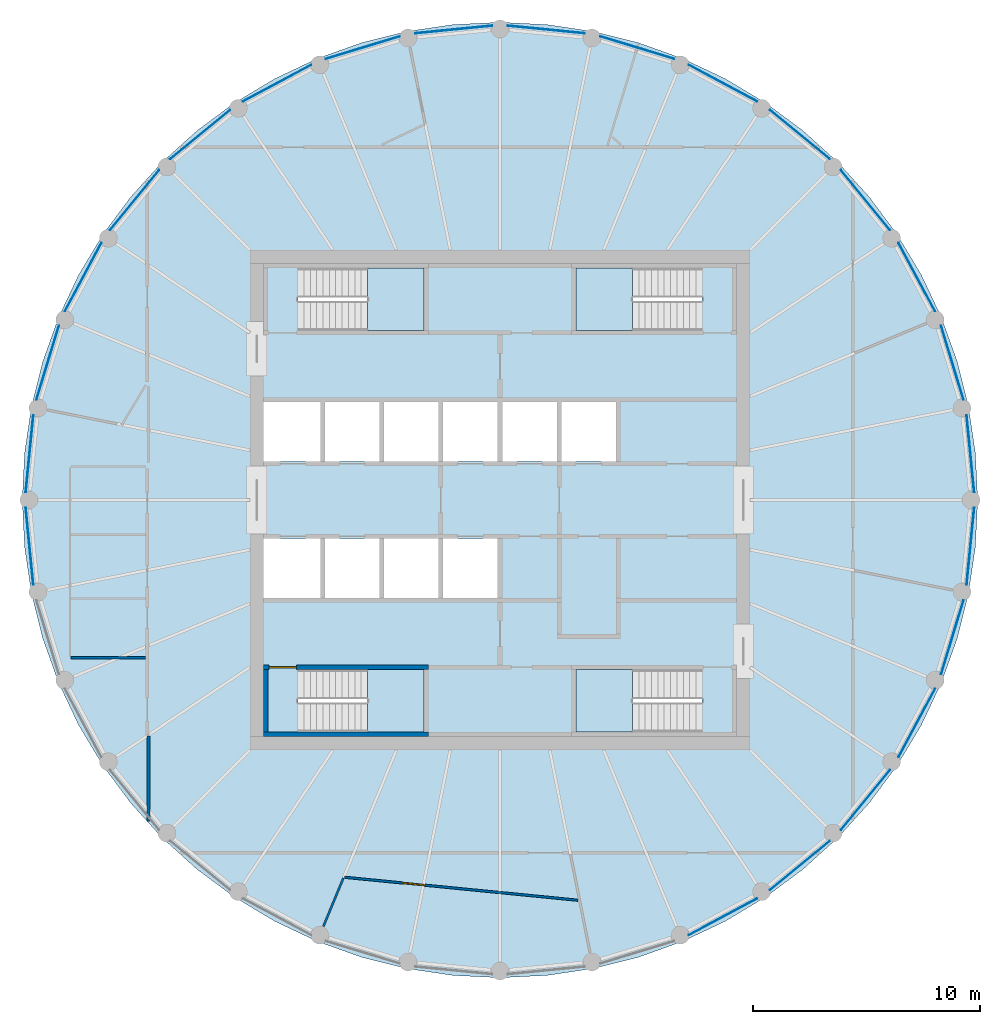
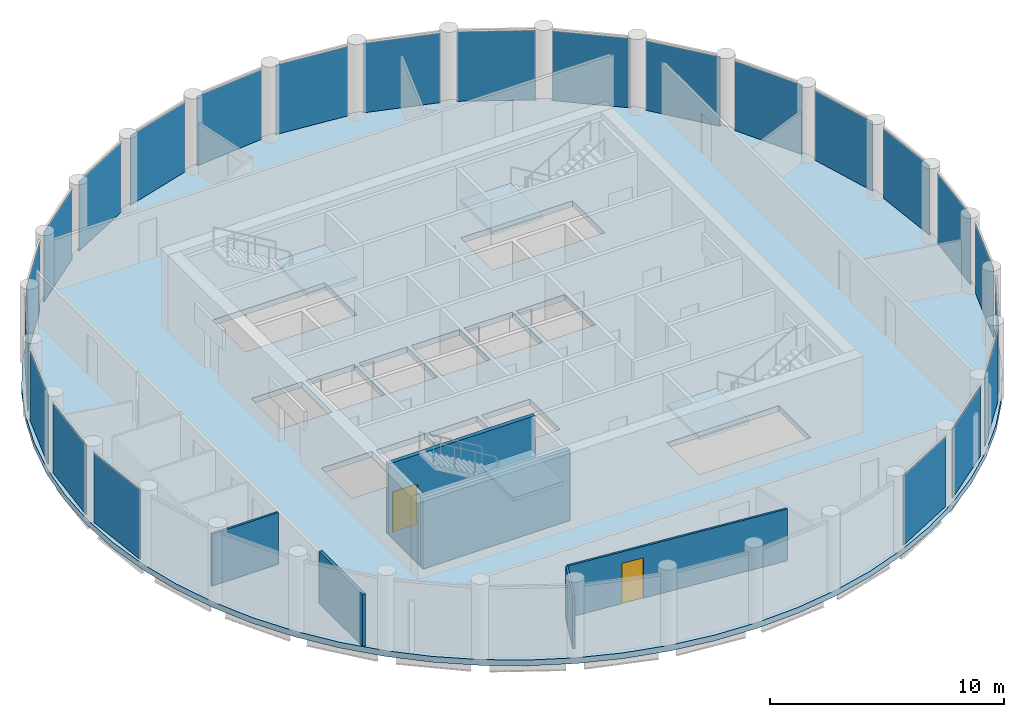
# One storey, part 3 of 7: 23 plates, 7 walls, 5 slabs, 2 doors, 2 openings, 27 elements without a shape of their own.
"""IFC4 building model written with IfcOpenShell, lengths in metres."""

import ifcopenshell
import ifcopenshell.guid

model = None  # the IFC model being written
_history = None  # IfcOwnerHistory: only IFC2X3 demands one
_inside = {}  # id of a spatial element -> (the spatial element, [elements in it])
_under = {}  # id of a project, library or spatial element -> (it, [spatial elements below it])
_declared = {}  # id of a project -> (the project, [libraries it declares])
_typed = {}  # id of a type object -> (the type object, [elements of that type])
_made_of = {}  # id of a material, layer set ... -> (it, [elements and type objects made of it])


def new_model(schema):
    """Start an empty IFC model of exactly this schema.

    Asked for "IFC4X3", IfcOpenShell would pick the latest addendum, in which some entities
    have other attributes; the version numbers below select the first issue.
    IFC2X3 requires an IfcOwnerHistory on every rooted entity: one is made here for all.
    """
    global model, _history
    if schema == "IFC4X3":
        model = ifcopenshell.file(schema_version=(4, 3, 0, 0))
    else:
        model = ifcopenshell.file(schema=schema)
    _inside.clear()
    _under.clear()
    _declared.clear()
    _typed.clear()
    _made_of.clear()
    _history = None
    if model.schema == "IFC2X3":
        org = make("IfcOrganization", Name="unknown")
        user = make(
            "IfcPersonAndOrganization",
            ThePerson=make("IfcPerson", FamilyName="unknown"),
            TheOrganization=org,
        )
        app = make(
            "IfcApplication",
            ApplicationDeveloper=org,
            Version="unknown",
            ApplicationFullName="unknown",
            ApplicationIdentifier="unknown",
        )
        _history = make(
            "IfcOwnerHistory",
            OwningUser=user,
            OwningApplication=app,
            ChangeAction="ADDED",
            CreationDate=0,
        )
    return model


def make(cls, **values):
    """One entity of the class cls with the attributes given. An attribute that is None is left unset."""
    return model.create_entity(
        cls, **{name: value for name, value in values.items() if value is not None}
    )


def rooted(cls, **values):
    """An entity with a GlobalId (a new one), such as an element, a storey or a relation."""
    return make(cls, GlobalId=ifcopenshell.guid.new(), OwnerHistory=_history, **values)


def si_unit(unit_type, name, prefix=None):
    """IfcSIUnit, for example si_unit("LENGTHUNIT", "METRE", prefix="MILLI")."""
    return make("IfcSIUnit", UnitType=unit_type, Prefix=prefix, Name=name)


def assignment(units):
    """IfcUnitAssignment: the units of a project."""
    return None if units is None else make("IfcUnitAssignment", Units=units)


def point(xyz):
    """IfcCartesianPoint."""
    return None if xyz is None else make("IfcCartesianPoint", Coordinates=xyz)


def direction(xyz):
    """IfcDirection."""
    return None if xyz is None else make("IfcDirection", DirectionRatios=xyz)


def frame(location, z_axis=None, x_axis=None):
    """IfcAxis2Placement3D, a coordinate frame: its origin and axes. An axis left out is left unset."""
    return make(
        "IfcAxis2Placement3D",
        Location=point(location),
        Axis=direction(z_axis),
        RefDirection=direction(x_axis),
    )


def frame_2d(location, x_axis=None):
    """IfcAxis2Placement2D, a coordinate frame in the plane: its origin and x axis."""
    return make(
        "IfcAxis2Placement2D", Location=point(location), RefDirection=direction(x_axis)
    )


def origin():
    """The frame at (0, 0, 0) with its axes left unset."""
    return frame((0.0, 0.0, 0.0))


def origin_2d():
    """The frame at (0, 0) in the plane with its x axis left unset."""
    return frame_2d((0.0, 0.0))


def place(relative_to, where):
    """IfcLocalPlacement: puts the frame where relative to a parent placement (None: the world)."""
    return make(
        "IfcLocalPlacement", PlacementRelTo=relative_to, RelativePlacement=where
    )


def context(
    kind, dimensions, precision=None, world=None, true_north=None, identifier=None
):
    """IfcGeometricRepresentationContext, for example the 3D "Model" context."""
    return make(
        "IfcGeometricRepresentationContext",
        ContextIdentifier=identifier,
        ContextType=kind,
        CoordinateSpaceDimension=dimensions,
        Precision=precision,
        WorldCoordinateSystem=world,
        TrueNorth=true_north,
    )


def subcontext(parent, identifier, kind, view, scale=None):
    """IfcGeometricRepresentationSubContext, for example "Body" below "Model"."""
    return make(
        "IfcGeometricRepresentationSubContext",
        ContextIdentifier=identifier,
        ContextType=kind,
        ParentContext=parent,
        TargetScale=scale,
        TargetView=view,
    )


def project(units=None, contexts=None):
    """IfcProject with its units and contexts."""
    return rooted(
        "IfcProject",
        Name="project",
        RepresentationContexts=contexts,
        UnitsInContext=assignment(units),
    )


def spatial(cls, under=None, at=None, **own):
    """A site, building, storey or space (cls), placed at a placement, below another one or the project."""
    s = rooted(cls, ObjectPlacement=at, **own)
    if under is not None:
        _under.setdefault(under.id(), (under, []))[1].append(s)
    return s


def polyline(points):
    """IfcPolyline through the points."""
    return make("IfcPolyline", Points=[point(p) for p in points])


def profile(cls, at=None, kind="AREA", **sizes):
    """A parametric profile (cls). Its sizes go by their IFC names, for example OverallWidth=200.0."""
    return make(cls, ProfileType=kind, Position=at, **sizes)


def rectangle(**sizes):
    """IfcRectangleProfileDef."""
    return profile("IfcRectangleProfileDef", **sizes)


def outline(outer, holes=None, kind="AREA"):
    """IfcArbitraryClosedProfileDef: a profile drawn as a closed curve; with holes, ...WithVoids."""
    if holes is None:
        return make("IfcArbitraryClosedProfileDef", ProfileType=kind, OuterCurve=outer)
    return make(
        "IfcArbitraryProfileDefWithVoids",
        ProfileType=kind,
        OuterCurve=outer,
        InnerCurves=holes,
    )


def extrude(swept, where, along, depth):
    """IfcExtrudedAreaSolid: the profile swept, set in the frame where, extruded along a direction by depth."""
    return make(
        "IfcExtrudedAreaSolid",
        SweptArea=swept,
        Position=where,
        ExtrudedDirection=direction(along),
        Depth=depth,
    )


def shape(context_of_items, identifier, shape_type, items):
    """IfcShapeRepresentation: the items that make up one representation, for example the "Body"."""
    return make(
        "IfcShapeRepresentation",
        ContextOfItems=context_of_items,
        RepresentationIdentifier=identifier,
        RepresentationType=shape_type,
        Items=items,
    )


def material(Name=None, Category=None):
    """IfcMaterial."""
    return make("IfcMaterial", Name=Name, Category=Category)


def layer(
    of_material, thickness, ventilated=None, Name=None, Category=None, Priority=None
):
    """IfcMaterialLayer: one layer of a wall or slab, of a material (None: an air gap)."""
    return make(
        "IfcMaterialLayer",
        Material=of_material,
        LayerThickness=thickness,
        IsVentilated=ventilated,
        Name=Name,
        Category=Category,
        Priority=Priority,
    )


def layer_set(layers, Name=None):
    """IfcMaterialLayerSet."""
    return make("IfcMaterialLayerSet", MaterialLayers=layers, LayerSetName=Name)


def made_of(thing, what):
    """Note that an element or type object is made of a material, layer set ...; save() writes the relation."""
    if what is not None:
        _made_of.setdefault(what.id(), (what, []))[1].append(thing)
    return thing


def type_object(cls, material=None, **own):
    """A type object (cls), such as IfcWallType, which elements share."""
    return made_of(rooted(cls, **own), material)


def element(
    cls,
    number,
    at=None,
    inside=None,
    cuts=None,
    type_object=None,
    material=None,
    context=None,
    identifier="Body",
    shape_type=None,
    held_by="IfcProductDefinitionShape",
    body=None,
    shapes=None,
    **own,
):
    """One element of the class cls, such as IfcWall. Its Tag is "e" and its number.

    at: its placement. inside: the storey or other place that contains it. cuts: it is an
    opening in that element (IfcRelVoidsElement). A single representation is given by context,
    identifier, shape_type and body (its items); several are given by shapes. held_by: the class
    of the entity that holds the representations. save() writes the other relations.
    """
    e = rooted(cls, Tag="e%d" % number, ObjectPlacement=at, **own)
    if body is not None:
        shapes = [shape(context, identifier, shape_type, body)]
    if shapes is not None:
        e.Representation = make(held_by, Representations=shapes)
    if inside is not None:
        _inside.setdefault(inside.id(), (inside, []))[1].append(e)
    if cuts is not None:
        rooted(
            "IfcRelVoidsElement", RelatingBuildingElement=cuts, RelatedOpeningElement=e
        )
    if type_object is not None:
        _typed.setdefault(type_object.id(), (type_object, []))[1].append(e)
    return made_of(e, material)


def fill(opening, filler):
    """IfcRelFillsElement: the door or window that sits in an opening."""
    return rooted(
        "IfcRelFillsElement",
        RelatingOpeningElement=opening,
        RelatedBuildingElement=filler,
    )


def aggregate(whole, parts):
    """IfcRelAggregates: a whole, such as a stair, and the parts it consists of."""
    return rooted("IfcRelAggregates", RelatingObject=whole, RelatedObjects=parts)


def save(model, path):
    """Write the relations noted so far, then the file.

    IfcRelAggregates (storeys below a building ...), IfcRelContainedInSpatialStructure (elements
    in a storey), IfcRelDefinesByType, IfcRelAssociatesMaterial and IfcRelDeclares: one each for
    every whole, place, type object, material and project.
    """
    for whole, parts in _under.values():
        aggregate(whole, parts)
    for where, things in _inside.values():
        rooted(
            "IfcRelContainedInSpatialStructure",
            RelatedElements=things,
            RelatingStructure=where,
        )
    for kind, things in _typed.values():
        rooted("IfcRelDefinesByType", RelatedObjects=things, RelatingType=kind)
    for what, things in _made_of.values():
        rooted("IfcRelAssociatesMaterial", RelatedObjects=things, RelatingMaterial=what)
    for by, libraries in _declared.values():
        rooted("IfcRelDeclares", RelatingContext=by, RelatedDefinitions=libraries)
    model.write(path)


model = new_model("IFC4")

# Units and contexts
model_context = context("Model", 3, precision=1e-05, world=origin(), true_north=direction((0.0, 1.0)))
body_context = subcontext(model_context, "Body", "Model", "MODEL_VIEW")
ifc_project = project(units=[si_unit("LENGTHUNIT", "METRE"), si_unit("AREAUNIT", "SQUARE_METRE"), si_unit("VOLUMEUNIT", "CUBIC_METRE"), si_unit("PLANEANGLEUNIT", "RADIAN"), si_unit("MASSUNIT", "GRAM", prefix="KILO")], contexts=[model_context])

# Site, building, storey
site_placement = place(None, origin())
site = spatial("IfcSite", under=ifc_project, at=site_placement, CompositionType="ELEMENT")
building_placement = place(site_placement, origin())
building = spatial("IfcBuilding", under=site, at=building_placement, Name="Corvane Civic Tower", CompositionType="ELEMENT")
storey_placement = place(building_placement, frame((0.0, 0.0, 328.5)))
storey = spatial("IfcBuildingStorey", under=building, at=storey_placement, Name="L78", CompositionType="ELEMENT", Elevation=328.5)

# Slab
ifc_material_1 = material(Name="Concrete C40/50", Category="concrete")
ifc_layer_1 = layer(ifc_material_1, 0.300048828125)
ifc_layer_set_1 = layer_set([ifc_layer_1], Name="Concrete C40/50")
slab_type_1 = type_object("IfcSlabType", Name="FLOOR SLAB 300", PredefinedType="FLOOR", material=ifc_layer_set_1)
slab_1_placement = place(storey_placement, frame((0.0, 0.0, -0.300048828125)))
element("IfcSlab", 1, at=slab_1_placement, inside=storey, type_object=slab_type_1, Name="SLB-L78", PredefinedType="FLOOR", context=body_context, shape_type="SweptSolid", body=[
    extrude(outline(polyline([(0.0, 21.0), (-2.058349609375, 20.89892578125), (-4.096923828125, 20.596435546875), (-6.095947265625, 20.095703125), (-8.036376953125, 19.4013671875), (-9.8994140625, 18.520263671875), (-11.6669921875, 17.4609375), (-13.322265625, 16.233154296875), (-14.84912109375, 14.84912109375), (-16.233154296875, 13.322265625), (-17.4609375, 11.6669921875), (-18.520263671875, 9.8994140625), (-19.4013671875, 8.036376953125), (-20.095703125, 6.095947265625), (-20.596435546875, 4.096923828125), (-20.89892578125, 2.058349609375), (-21.0, 0.0), (-20.89892578125, -2.058349609375), (-20.596435546875, -4.096923828125), (-20.095703125, -6.095947265625), (-19.4013671875, -8.036376953125), (-18.520263671875, -9.8994140625), (-17.4609375, -11.6669921875), (-16.233154296875, -13.322265625), (-14.84912109375, -14.84912109375), (-13.322265625, -16.233154296875), (-11.6669921875, -17.4609375), (-9.8994140625, -18.520263671875), (-8.036376953125, -19.4013671875), (-6.095947265625, -20.095703125), (-4.096923828125, -20.596435546875), (-2.058349609375, -20.89892578125), (0.0, -21.0), (2.058349609375, -20.89892578125), (4.096923828125, -20.596435546875), (6.095947265625, -20.095703125), (8.036376953125, -19.4013671875), (9.8994140625, -18.520263671875), (11.6669921875, -17.4609375), (13.322265625, -16.233154296875), (14.84912109375, -14.84912109375), (16.233154296875, -13.322265625), (17.4609375, -11.6669921875), (18.520263671875, -9.8994140625), (19.4013671875, -8.036376953125), (20.095703125, -6.095947265625), (20.596435546875, -4.096923828125), (20.89892578125, -2.058349609375), (21.0, 0.0), (20.89892578125, 2.058349609375), (20.596435546875, 4.096923828125), (20.095703125, 6.095947265625), (19.4013671875, 8.036376953125), (18.520263671875, 9.8994140625), (17.4609375, 11.6669921875), (16.233154296875, 13.322265625), (14.84912109375, 14.84912109375), (13.322265625, 16.233154296875), (11.6669921875, 17.4609375), (9.8994140625, 18.520263671875), (8.036376953125, 19.4013671875), (6.095947265625, 20.095703125), (4.096923828125, 20.596435546875), (2.058349609375, 20.89892578125), (0.0, 21.0)]), holes=[polyline([(-10.39990234375, 4.300048828125), (-7.89990234375, 4.300048828125), (-7.89990234375, 1.699951171875), (-10.39990234375, 1.699951171875), (-10.39990234375, 4.300048828125)]), polyline([(-7.699951171875, 4.300048828125), (-5.300048828125, 4.300048828125), (-5.300048828125, 1.699951171875), (-7.699951171875, 1.699951171875), (-7.699951171875, 4.300048828125)]), polyline([(-5.10009765625, 4.300048828125), (-2.699951171875, 4.300048828125), (-2.699951171875, 1.699951171875), (-5.10009765625, 1.699951171875), (-5.10009765625, 4.300048828125)]), polyline([(-2.5, 4.300048828125), (-0.10009765625, 4.300048828125), (-0.10009765625, 1.699951171875), (-2.5, 1.699951171875), (-2.5, 4.300048828125)]), polyline([(0.10009765625, 1.699951171875), (0.10009765625, 4.300048828125), (2.5, 4.300048828125), (2.5, 1.699951171875), (0.10009765625, 1.699951171875)]), polyline([(2.699951171875, 1.699951171875), (2.699951171875, 4.300048828125), (5.10009765625, 4.300048828125), (5.10009765625, 1.699951171875), (2.699951171875, 1.699951171875)]), polyline([(-10.39990234375, -1.699951171875), (-7.89990234375, -1.699951171875), (-7.89990234375, -4.300048828125), (-10.39990234375, -4.300048828125), (-10.39990234375, -1.699951171875)]), polyline([(-7.699951171875, -4.300048828125), (-7.699951171875, -1.699951171875), (-5.300048828125, -1.699951171875), (-5.300048828125, -4.300048828125), (-7.699951171875, -4.300048828125)]), polyline([(-5.10009765625, -4.300048828125), (-5.10009765625, -1.699951171875), (-2.699951171875, -1.699951171875), (-2.699951171875, -4.300048828125), (-5.10009765625, -4.300048828125)]), polyline([(-2.5, -4.300048828125), (-2.5, -1.699951171875), (-0.10009765625, -1.699951171875), (-0.10009765625, -4.300048828125), (-2.5, -4.300048828125)]), polyline([(8.889892578125, 10.199951171875), (8.889892578125, 7.449951171875), (3.35009765625, 7.449951171875), (3.35009765625, 10.199951171875), (8.889892578125, 10.199951171875)]), polyline([(-8.889892578125, 7.449951171875), (-8.889892578125, 10.199951171875), (-3.35009765625, 10.199951171875), (-3.35009765625, 7.449951171875), (-8.889892578125, 7.449951171875)]), polyline([(8.889892578125, -7.449951171875), (8.889892578125, -10.199951171875), (3.35009765625, -10.199951171875), (3.35009765625, -7.449951171875), (8.889892578125, -7.449951171875)]), polyline([(-8.889892578125, -10.199951171875), (-8.889892578125, -7.449951171875), (-3.35009765625, -7.449951171875), (-3.35009765625, -10.199951171875), (-8.889892578125, -10.199951171875)])]), origin(), (0.0, 0.0, 1.0), 0.300048828125),
])

# Stair, slab
ifc_material_2 = material(Name="Concrete C40/50", Category="concrete")
stair_type = type_object("IfcStairType", Name="ST-STAIR-HALFTURN", PredefinedType="HALF_TURN_STAIR", material=ifc_material_2)
stair_1_placement = place(storey_placement, origin())
stair_1 = element("IfcStair", 2, at=stair_1_placement, inside=storey, type_object=stair_type, Name="L78 Exit stair ST1", PredefinedType="HALF_TURN_STAIR")
ifc_material_3 = material(Name="Concrete C40/50", Category="concrete")
ifc_layer_2 = layer(ifc_material_3, 0.199951171875)
ifc_layer_set_2 = layer_set([ifc_layer_2], Name="Concrete C40/50")
slab_type_2 = type_object("IfcSlabType", Name="ST-LANDING-RC", PredefinedType="LANDING", material=ifc_layer_set_2)
slab_2_placement = place(storey_placement, frame((0.0, 0.0, 1.800048828125)))
slab_2 = element("IfcSlab", 3, at=slab_2_placement, type_object=slab_type_2, Name="ST1 landing 1", PredefinedType="LANDING", context=body_context, shape_type="SweptSolid", body=[
    extrude(outline(polyline([(5.820068359375, 10.199951171875), (3.35009765625, 10.199951171875), (3.35009765625, 7.449951171875), (5.820068359375, 7.449951171875), (5.820068359375, 10.199951171875)])), origin(), (0.0, 0.0, 1.0), 0.199951171875),
])
aggregate(stair_1, [slab_2])

stair_2_placement = place(storey_placement, origin())
stair_2 = element("IfcStair", 4, at=stair_2_placement, inside=storey, type_object=stair_type, Name="L78 Exit stair ST2", PredefinedType="HALF_TURN_STAIR")
slab_3_placement = place(storey_placement, frame((0.0, 0.0, 1.800048828125)))
slab_3 = element("IfcSlab", 5, at=slab_3_placement, type_object=slab_type_2, Name="ST2 landing 1", PredefinedType="LANDING", context=body_context, shape_type="SweptSolid", body=[
    extrude(outline(polyline([(5.820068359375, -7.449951171875), (3.35009765625, -7.449951171875), (3.35009765625, -10.199951171875), (5.820068359375, -10.199951171875), (5.820068359375, -7.449951171875)])), origin(), (0.0, 0.0, 1.0), 0.199951171875),
])
aggregate(stair_2, [slab_3])

stair_3_placement = place(storey_placement, origin())
stair_3 = element("IfcStair", 6, at=stair_3_placement, inside=storey, type_object=stair_type, Name="L78 Exit stair ST3", PredefinedType="HALF_TURN_STAIR")
slab_4_placement = place(storey_placement, frame((0.0, 0.0, 1.800048828125)))
slab_4 = element("IfcSlab", 7, at=slab_4_placement, type_object=slab_type_2, Name="ST3 landing 1", PredefinedType="LANDING", context=body_context, shape_type="SweptSolid", body=[
    extrude(outline(polyline([(-5.820068359375, -10.199951171875), (-3.35009765625, -10.199951171875), (-3.35009765625, -7.449951171875), (-5.820068359375, -7.449951171875), (-5.820068359375, -10.199951171875)])), origin(), (0.0, 0.0, 1.0), 0.199951171875),
])
aggregate(stair_3, [slab_4])

stair_4_placement = place(storey_placement, origin())
stair_4 = element("IfcStair", 8, at=stair_4_placement, inside=storey, type_object=stair_type, Name="L78 Exit stair ST4", PredefinedType="HALF_TURN_STAIR")
slab_5_placement = place(storey_placement, frame((0.0, 0.0, 1.800048828125)))
slab_5 = element("IfcSlab", 9, at=slab_5_placement, type_object=slab_type_2, Name="ST4 landing 1", PredefinedType="LANDING", context=body_context, shape_type="SweptSolid", body=[
    extrude(outline(polyline([(-5.820068359375, 7.449951171875), (-3.35009765625, 7.449951171875), (-3.35009765625, 10.199951171875), (-5.820068359375, 10.199951171875), (-5.820068359375, 7.449951171875)])), origin(), (0.0, 0.0, 1.0), 0.199951171875),
])
aggregate(stair_4, [slab_5])

# Curtain wall, plate
ifc_material_4 = material(Name="Anodised aluminium bronze", Category="aluminium")
curtain_wall_type = type_object("IfcCurtainWallType", Name="TOWER CW-T3 STICK CURTAIN WALL", PredefinedType="NOTDEFINED", material=ifc_material_4)
curtain_wall_1_placement = place(storey_placement, origin())
curtain_wall_1 = element("IfcCurtainWall", 10, at=curtain_wall_1_placement, inside=storey, type_object=curtain_wall_type, Name="Curtain wall CW-T3 L78 bay 01", PredefinedType="NOTDEFINED")
ifc_material_5 = material(Name="Tinted glass", Category="glass")
ifc_layer_3 = layer(ifc_material_5, 0.028076171875)
ifc_layer_set_3 = layer_set([ifc_layer_3], Name="Tinted glass")
plate_type = type_object("IfcPlateType", Name="TOWER CW-T3 PANEL IGU28", PredefinedType="CURTAIN_PANEL", material=ifc_layer_set_3)
plate_1_placement = place(storey_placement, frame((2.03662109375, 20.679443359375, 0.0), z_axis=(0.0, 0.0, 1.0), x_axis=(0.995186641028, -0.097997701601, 0.0)))
plate_1 = element("IfcPlate", 11, at=plate_1_placement, type_object=plate_type, Name="Glass panel CW-T3 L78 01.1", PredefinedType="CURTAIN_PANEL", context=body_context, shape_type="SweptSolid", body=[
    extrude(rectangle(XDim=3.402587890625, YDim=0.028076171875, at=origin_2d()), origin(), (0.0, 0.0, 1.0), 3.6298828125),
])
aggregate(curtain_wall_1, [plate_1])

curtain_wall_2_placement = place(storey_placement, origin())
curtain_wall_2 = element("IfcCurtainWall", 12, at=curtain_wall_2_placement, inside=storey, type_object=curtain_wall_type, Name="Curtain wall CW-T3 L78 bay 02", PredefinedType="NOTDEFINED")
plate_2_placement = place(storey_placement, frame((6.031982421875, 19.884765625, 0.0), z_axis=(0.0, 0.0, 1.0), x_axis=(0.956938582641, -0.290290456359, 0.0)))
plate_2 = element("IfcPlate", 13, at=plate_2_placement, type_object=plate_type, Name="Glass panel CW-T3 L78 02.1", PredefinedType="CURTAIN_PANEL", context=body_context, shape_type="SweptSolid", body=[
    extrude(rectangle(XDim=3.40283203125, YDim=0.028076171875, at=origin_2d()), origin(), (0.0, 0.0, 1.0), 3.6298828125),
])
aggregate(curtain_wall_2, [plate_2])

curtain_wall_3_placement = place(storey_placement, origin())
curtain_wall_3 = element("IfcCurtainWall", 14, at=curtain_wall_3_placement, inside=storey, type_object=curtain_wall_type, Name="Curtain wall CW-T3 L78 bay 03", PredefinedType="NOTDEFINED")
plate_3_placement = place(storey_placement, frame((9.79541015625, 18.325927734375, 0.0), z_axis=(0.0, 0.0, 1.0), x_axis=(0.88192824848, -0.471383670202, 0.0)))
plate_3 = element("IfcPlate", 15, at=plate_3_placement, type_object=plate_type, Name="Glass panel CW-T3 L78 03.1", PredefinedType="CURTAIN_PANEL", context=body_context, shape_type="SweptSolid", body=[
    extrude(rectangle(XDim=3.40234375, YDim=0.028076171875, at=origin_2d()), origin(), (0.0, 0.0, 1.0), 3.6298828125),
])
aggregate(curtain_wall_3, [plate_3])

curtain_wall_4_placement = place(storey_placement, origin())
curtain_wall_4 = element("IfcCurtainWall", 16, at=curtain_wall_4_placement, inside=storey, type_object=curtain_wall_type, Name="Curtain wall CW-T3 L78 bay 04", PredefinedType="NOTDEFINED")
plate_4_placement = place(storey_placement, frame((13.182373046875, 16.062744140625, 0.0), z_axis=(0.0, 0.0, 1.0), x_axis=(0.773010369391, -0.634393386484, 0.0)))
plate_4 = element("IfcPlate", 17, at=plate_4_placement, type_object=plate_type, Name="Glass panel CW-T3 L78 04.1", PredefinedType="CURTAIN_PANEL", context=body_context, shape_type="SweptSolid", body=[
    extrude(rectangle(XDim=3.402587890625, YDim=0.028076171875, at=origin_2d()), origin(), (0.0, 0.0, 1.0), 3.6298828125),
])
aggregate(curtain_wall_4, [plate_4])

curtain_wall_5_placement = place(storey_placement, origin())
curtain_wall_5 = element("IfcCurtainWall", 18, at=curtain_wall_5_placement, inside=storey, type_object=curtain_wall_type, Name="Curtain wall CW-T3 L78 bay 05", PredefinedType="NOTDEFINED")
plate_5_placement = place(storey_placement, frame((16.062744140625, 13.182373046875, 0.0), z_axis=(0.0, 0.0, 1.0), x_axis=(0.634393386484, -0.773010369391, 0.0)))
plate_5 = element("IfcPlate", 19, at=plate_5_placement, type_object=plate_type, Name="Glass panel CW-T3 L78 05.1", PredefinedType="CURTAIN_PANEL", context=body_context, shape_type="SweptSolid", body=[
    extrude(rectangle(XDim=3.402587890625, YDim=0.028076171875, at=origin_2d()), origin(), (0.0, 0.0, 1.0), 3.6298828125),
])
aggregate(curtain_wall_5, [plate_5])

curtain_wall_6_placement = place(storey_placement, origin())
curtain_wall_6 = element("IfcCurtainWall", 20, at=curtain_wall_6_placement, inside=storey, type_object=curtain_wall_type, Name="Curtain wall CW-T3 L78 bay 06", PredefinedType="NOTDEFINED")
plate_6_placement = place(storey_placement, frame((18.325927734375, 9.79541015625, 0.0), z_axis=(0.0, 0.0, 1.0), x_axis=(0.471383670202, -0.88192824848, 0.0)))
plate_6 = element("IfcPlate", 21, at=plate_6_placement, type_object=plate_type, Name="Glass panel CW-T3 L78 06.1", PredefinedType="CURTAIN_PANEL", context=body_context, shape_type="SweptSolid", body=[
    extrude(rectangle(XDim=3.40234375, YDim=0.028076171875, at=origin_2d()), origin(), (0.0, 0.0, 1.0), 3.6298828125),
])
aggregate(curtain_wall_6, [plate_6])

curtain_wall_7_placement = place(storey_placement, origin())
curtain_wall_7 = element("IfcCurtainWall", 22, at=curtain_wall_7_placement, inside=storey, type_object=curtain_wall_type, Name="Curtain wall CW-T3 L78 bay 07", PredefinedType="NOTDEFINED")
plate_7_placement = place(storey_placement, frame((19.884765625, 6.031982421875, 0.0), z_axis=(0.0, 0.0, 1.0), x_axis=(0.290290456359, -0.956938582641, 0.0)))
plate_7 = element("IfcPlate", 23, at=plate_7_placement, type_object=plate_type, Name="Glass panel CW-T3 L78 07.1", PredefinedType="CURTAIN_PANEL", context=body_context, shape_type="SweptSolid", body=[
    extrude(rectangle(XDim=3.40283203125, YDim=0.028076171875, at=origin_2d()), origin(), (0.0, 0.0, 1.0), 3.6298828125),
])
aggregate(curtain_wall_7, [plate_7])

curtain_wall_8_placement = place(storey_placement, origin())
curtain_wall_8 = element("IfcCurtainWall", 24, at=curtain_wall_8_placement, inside=storey, type_object=curtain_wall_type, Name="Curtain wall CW-T3 L78 bay 08", PredefinedType="NOTDEFINED")
plate_8_placement = place(storey_placement, frame((20.679443359375, 2.03662109375, 0.0), z_axis=(0.0, 0.0, 1.0), x_axis=(0.097997701601, -0.995186641028, 0.0)))
plate_8 = element("IfcPlate", 25, at=plate_8_placement, type_object=plate_type, Name="Glass panel CW-T3 L78 08.1", PredefinedType="CURTAIN_PANEL", context=body_context, shape_type="SweptSolid", body=[
    extrude(rectangle(XDim=3.402587890625, YDim=0.028076171875, at=origin_2d()), origin(), (0.0, 0.0, 1.0), 3.6298828125),
])
aggregate(curtain_wall_8, [plate_8])

curtain_wall_9_placement = place(storey_placement, origin())
curtain_wall_9 = element("IfcCurtainWall", 26, at=curtain_wall_9_placement, inside=storey, type_object=curtain_wall_type, Name="Curtain wall CW-T3 L78 bay 09", PredefinedType="NOTDEFINED")
plate_9_placement = place(storey_placement, frame((20.679443359375, -2.03662109375, 0.0), z_axis=(0.0, 0.0, 1.0), x_axis=(-0.097997701601, -0.995186641028, 0.0)))
plate_9 = element("IfcPlate", 27, at=plate_9_placement, type_object=plate_type, Name="Glass panel CW-T3 L78 09.1", PredefinedType="CURTAIN_PANEL", context=body_context, shape_type="SweptSolid", body=[
    extrude(rectangle(XDim=3.402587890625, YDim=0.028076171875, at=origin_2d()), origin(), (0.0, 0.0, 1.0), 3.6298828125),
])
aggregate(curtain_wall_9, [plate_9])

curtain_wall_10_placement = place(storey_placement, origin())
curtain_wall_10 = element("IfcCurtainWall", 28, at=curtain_wall_10_placement, inside=storey, type_object=curtain_wall_type, Name="Curtain wall CW-T3 L78 bay 10", PredefinedType="NOTDEFINED")
plate_10_placement = place(storey_placement, frame((19.884765625, -6.031982421875, 0.0), z_axis=(0.0, 0.0, 1.0), x_axis=(-0.290290456359, -0.956938582641, 0.0)))
plate_10 = element("IfcPlate", 29, at=plate_10_placement, type_object=plate_type, Name="Glass panel CW-T3 L78 10.1", PredefinedType="CURTAIN_PANEL", context=body_context, shape_type="SweptSolid", body=[
    extrude(rectangle(XDim=3.40283203125, YDim=0.028076171875, at=origin_2d()), origin(), (0.0, 0.0, 1.0), 3.6298828125),
])
aggregate(curtain_wall_10, [plate_10])

curtain_wall_11_placement = place(storey_placement, origin())
curtain_wall_11 = element("IfcCurtainWall", 30, at=curtain_wall_11_placement, inside=storey, type_object=curtain_wall_type, Name="Curtain wall CW-T3 L78 bay 11", PredefinedType="NOTDEFINED")
plate_11_placement = place(storey_placement, frame((18.325927734375, -9.79541015625, 0.0), z_axis=(0.0, 0.0, 1.0), x_axis=(-0.471383670202, -0.88192824848, 0.0)))
plate_11 = element("IfcPlate", 31, at=plate_11_placement, type_object=plate_type, Name="Glass panel CW-T3 L78 11.1", PredefinedType="CURTAIN_PANEL", context=body_context, shape_type="SweptSolid", body=[
    extrude(rectangle(XDim=3.40234375, YDim=0.028076171875, at=origin_2d()), origin(), (0.0, 0.0, 1.0), 3.6298828125),
])
aggregate(curtain_wall_11, [plate_11])

curtain_wall_12_placement = place(storey_placement, origin())
curtain_wall_12 = element("IfcCurtainWall", 32, at=curtain_wall_12_placement, inside=storey, type_object=curtain_wall_type, Name="Curtain wall CW-T3 L78 bay 12", PredefinedType="NOTDEFINED")
plate_12_placement = place(storey_placement, frame((16.062744140625, -13.182373046875, 0.0), z_axis=(0.0, 0.0, 1.0), x_axis=(-0.634393386484, -0.773010369391, 0.0)))
plate_12 = element("IfcPlate", 33, at=plate_12_placement, type_object=plate_type, Name="Glass panel CW-T3 L78 12.1", PredefinedType="CURTAIN_PANEL", context=body_context, shape_type="SweptSolid", body=[
    extrude(rectangle(XDim=3.402587890625, YDim=0.028076171875, at=origin_2d()), origin(), (0.0, 0.0, 1.0), 3.6298828125),
])
aggregate(curtain_wall_12, [plate_12])

curtain_wall_13_placement = place(storey_placement, origin())
curtain_wall_13 = element("IfcCurtainWall", 34, at=curtain_wall_13_placement, inside=storey, type_object=curtain_wall_type, Name="Curtain wall CW-T3 L78 bay 13", PredefinedType="NOTDEFINED")
plate_13_placement = place(storey_placement, frame((13.182373046875, -16.062744140625, 0.0), z_axis=(0.0, 0.0, 1.0), x_axis=(-0.773010369391, -0.634393386484, 0.0)))
plate_13 = element("IfcPlate", 35, at=plate_13_placement, type_object=plate_type, Name="Glass panel CW-T3 L78 13.1", PredefinedType="CURTAIN_PANEL", context=body_context, shape_type="SweptSolid", body=[
    extrude(rectangle(XDim=3.402587890625, YDim=0.028076171875, at=origin_2d()), origin(), (0.0, 0.0, 1.0), 3.6298828125),
])
aggregate(curtain_wall_13, [plate_13])

curtain_wall_14_placement = place(storey_placement, origin())
curtain_wall_14 = element("IfcCurtainWall", 36, at=curtain_wall_14_placement, inside=storey, type_object=curtain_wall_type, Name="Curtain wall CW-T3 L78 bay 14", PredefinedType="NOTDEFINED")
plate_14_placement = place(storey_placement, frame((9.79541015625, -18.325927734375, 0.0), z_axis=(0.0, 0.0, 1.0), x_axis=(-0.88192824848, -0.471383670202, 0.0)))
plate_14 = element("IfcPlate", 37, at=plate_14_placement, type_object=plate_type, Name="Glass panel CW-T3 L78 14.1", PredefinedType="CURTAIN_PANEL", context=body_context, shape_type="SweptSolid", body=[
    extrude(rectangle(XDim=3.40234375, YDim=0.028076171875, at=origin_2d()), origin(), (0.0, 0.0, 1.0), 3.6298828125),
])
aggregate(curtain_wall_14, [plate_14])

curtain_wall_15_placement = place(storey_placement, origin())
curtain_wall_15 = element("IfcCurtainWall", 38, at=curtain_wall_15_placement, inside=storey, type_object=curtain_wall_type, Name="Curtain wall CW-T3 L78 bay 24", PredefinedType="NOTDEFINED")
plate_15_placement = place(storey_placement, frame((-20.679443359375, -2.03662109375, 0.0), z_axis=(0.0, 0.0, 1.0), x_axis=(-0.097997701601, 0.995186641028, 0.0)))
plate_15 = element("IfcPlate", 39, at=plate_15_placement, type_object=plate_type, Name="Glass panel CW-T3 L78 24.1", PredefinedType="CURTAIN_PANEL", context=body_context, shape_type="SweptSolid", body=[
    extrude(rectangle(XDim=3.402587890625, YDim=0.028076171875, at=origin_2d()), origin(), (0.0, 0.0, 1.0), 3.6298828125),
])
aggregate(curtain_wall_15, [plate_15])

curtain_wall_16_placement = place(storey_placement, origin())
curtain_wall_16 = element("IfcCurtainWall", 40, at=curtain_wall_16_placement, inside=storey, type_object=curtain_wall_type, Name="Curtain wall CW-T3 L78 bay 25", PredefinedType="NOTDEFINED")
plate_16_placement = place(storey_placement, frame((-20.679443359375, 2.03662109375, 0.0), z_axis=(0.0, 0.0, 1.0), x_axis=(0.097997701601, 0.995186641028, 0.0)))
plate_16 = element("IfcPlate", 41, at=plate_16_placement, type_object=plate_type, Name="Glass panel CW-T3 L78 25.1", PredefinedType="CURTAIN_PANEL", context=body_context, shape_type="SweptSolid", body=[
    extrude(rectangle(XDim=3.402587890625, YDim=0.028076171875, at=origin_2d()), origin(), (0.0, 0.0, 1.0), 3.6298828125),
])
aggregate(curtain_wall_16, [plate_16])

curtain_wall_17_placement = place(storey_placement, origin())
curtain_wall_17 = element("IfcCurtainWall", 42, at=curtain_wall_17_placement, inside=storey, type_object=curtain_wall_type, Name="Curtain wall CW-T3 L78 bay 26", PredefinedType="NOTDEFINED")
plate_17_placement = place(storey_placement, frame((-19.884765625, 6.031982421875, 0.0), z_axis=(0.0, 0.0, 1.0), x_axis=(0.290290456359, 0.956938582641, 0.0)))
plate_17 = element("IfcPlate", 43, at=plate_17_placement, type_object=plate_type, Name="Glass panel CW-T3 L78 26.1", PredefinedType="CURTAIN_PANEL", context=body_context, shape_type="SweptSolid", body=[
    extrude(rectangle(XDim=3.40283203125, YDim=0.028076171875, at=origin_2d()), origin(), (0.0, 0.0, 1.0), 3.6298828125),
])
aggregate(curtain_wall_17, [plate_17])

curtain_wall_18_placement = place(storey_placement, origin())
curtain_wall_18 = element("IfcCurtainWall", 44, at=curtain_wall_18_placement, inside=storey, type_object=curtain_wall_type, Name="Curtain wall CW-T3 L78 bay 27", PredefinedType="NOTDEFINED")
plate_18_placement = place(storey_placement, frame((-18.325927734375, 9.79541015625, 0.0), z_axis=(0.0, 0.0, 1.0), x_axis=(0.471383670202, 0.88192824848, 0.0)))
plate_18 = element("IfcPlate", 45, at=plate_18_placement, type_object=plate_type, Name="Glass panel CW-T3 L78 27.1", PredefinedType="CURTAIN_PANEL", context=body_context, shape_type="SweptSolid", body=[
    extrude(rectangle(XDim=3.40234375, YDim=0.028076171875, at=origin_2d()), origin(), (0.0, 0.0, 1.0), 3.6298828125),
])
aggregate(curtain_wall_18, [plate_18])

curtain_wall_19_placement = place(storey_placement, origin())
curtain_wall_19 = element("IfcCurtainWall", 46, at=curtain_wall_19_placement, inside=storey, type_object=curtain_wall_type, Name="Curtain wall CW-T3 L78 bay 28", PredefinedType="NOTDEFINED")
plate_19_placement = place(storey_placement, frame((-16.062744140625, 13.182373046875, 0.0), z_axis=(0.0, 0.0, 1.0), x_axis=(0.634393386484, 0.773010369391, 0.0)))
plate_19 = element("IfcPlate", 47, at=plate_19_placement, type_object=plate_type, Name="Glass panel CW-T3 L78 28.1", PredefinedType="CURTAIN_PANEL", context=body_context, shape_type="SweptSolid", body=[
    extrude(rectangle(XDim=3.402587890625, YDim=0.028076171875, at=origin_2d()), origin(), (0.0, 0.0, 1.0), 3.6298828125),
])
aggregate(curtain_wall_19, [plate_19])

curtain_wall_20_placement = place(storey_placement, origin())
curtain_wall_20 = element("IfcCurtainWall", 48, at=curtain_wall_20_placement, inside=storey, type_object=curtain_wall_type, Name="Curtain wall CW-T3 L78 bay 29", PredefinedType="NOTDEFINED")
plate_20_placement = place(storey_placement, frame((-13.182373046875, 16.062744140625, 0.0), z_axis=(0.0, 0.0, 1.0), x_axis=(0.773010369391, 0.634393386484, 0.0)))
plate_20 = element("IfcPlate", 49, at=plate_20_placement, type_object=plate_type, Name="Glass panel CW-T3 L78 29.1", PredefinedType="CURTAIN_PANEL", context=body_context, shape_type="SweptSolid", body=[
    extrude(rectangle(XDim=3.402587890625, YDim=0.028076171875, at=origin_2d()), origin(), (0.0, 0.0, 1.0), 3.6298828125),
])
aggregate(curtain_wall_20, [plate_20])

curtain_wall_21_placement = place(storey_placement, origin())
curtain_wall_21 = element("IfcCurtainWall", 50, at=curtain_wall_21_placement, inside=storey, type_object=curtain_wall_type, Name="Curtain wall CW-T3 L78 bay 30", PredefinedType="NOTDEFINED")
plate_21_placement = place(storey_placement, frame((-9.79541015625, 18.325927734375, 0.0), z_axis=(0.0, 0.0, 1.0), x_axis=(0.88192824848, 0.471383670202, 0.0)))
plate_21 = element("IfcPlate", 51, at=plate_21_placement, type_object=plate_type, Name="Glass panel CW-T3 L78 30.1", PredefinedType="CURTAIN_PANEL", context=body_context, shape_type="SweptSolid", body=[
    extrude(rectangle(XDim=3.40234375, YDim=0.028076171875, at=origin_2d()), origin(), (0.0, 0.0, 1.0), 3.6298828125),
])
aggregate(curtain_wall_21, [plate_21])

curtain_wall_22_placement = place(storey_placement, origin())
curtain_wall_22 = element("IfcCurtainWall", 52, at=curtain_wall_22_placement, inside=storey, type_object=curtain_wall_type, Name="Curtain wall CW-T3 L78 bay 31", PredefinedType="NOTDEFINED")
plate_22_placement = place(storey_placement, frame((-6.031982421875, 19.884765625, 0.0), z_axis=(0.0, 0.0, 1.0), x_axis=(0.956938582641, 0.290290456359, 0.0)))
plate_22 = element("IfcPlate", 53, at=plate_22_placement, type_object=plate_type, Name="Glass panel CW-T3 L78 31.1", PredefinedType="CURTAIN_PANEL", context=body_context, shape_type="SweptSolid", body=[
    extrude(rectangle(XDim=3.40283203125, YDim=0.028076171875, at=origin_2d()), origin(), (0.0, 0.0, 1.0), 3.6298828125),
])
aggregate(curtain_wall_22, [plate_22])

curtain_wall_23_placement = place(storey_placement, origin())
curtain_wall_23 = element("IfcCurtainWall", 54, at=curtain_wall_23_placement, inside=storey, type_object=curtain_wall_type, Name="Curtain wall CW-T3 L78 bay 32", PredefinedType="NOTDEFINED")
plate_23_placement = place(storey_placement, frame((-2.03662109375, 20.679443359375, 0.0), z_axis=(0.0, 0.0, 1.0), x_axis=(0.995186641028, 0.097997701601, 0.0)))
plate_23 = element("IfcPlate", 55, at=plate_23_placement, type_object=plate_type, Name="Glass panel CW-T3 L78 32.1", PredefinedType="CURTAIN_PANEL", context=body_context, shape_type="SweptSolid", body=[
    extrude(rectangle(XDim=3.402587890625, YDim=0.028076171875, at=origin_2d()), origin(), (0.0, 0.0, 1.0), 3.6298828125),
])
aggregate(curtain_wall_23, [plate_23])

# Wall
ifc_material_6 = material(Name="Plasterboard")
ifc_layer_4 = layer(ifc_material_6, 0.10009765625)
ifc_layer_set_4 = layer_set([ifc_layer_4], Name="Plasterboard")
wall_type_1 = type_object("IfcWallType", Name="Partition 100 plasterboard on studs", PredefinedType="PARTITIONING", material=ifc_layer_set_4)
wall_1_placement = place(storey_placement, frame((-7.7646484375, -18.74560546875, 0.0), z_axis=(0.0, 0.0, 1.0), x_axis=(0.382660304732, 0.923889111951, 0.0)))
element("IfcWall", 56, at=wall_1_placement, inside=storey, type_object=wall_type_1, Name="Partition L78.002", PredefinedType="PARTITIONING", context=body_context, shape_type="SweptSolid", body=[
    extrude(rectangle(XDim=2.306396484375, YDim=0.10009765625, at=frame_2d((1.1533203125, 0.0))), origin(), (0.0, 0.0, 1.0), 2.699951171875),
])

# Wall, opening, door
wall_2_placement = place(storey_placement, frame((-6.830810546875, -16.583984375, 0.0), z_axis=(0.0, 0.0, 1.0), x_axis=(0.995182581645, -0.098038916712, 0.0)))
wall_2 = element("IfcWall", 57, at=wall_2_placement, inside=storey, type_object=wall_type_1, Name="Partition L78.003", PredefinedType="PARTITIONING", context=body_context, shape_type="SweptSolid", body=[
    extrude(rectangle(XDim=10.314697265625, YDim=0.10009765625, at=frame_2d((5.1572265625, 0.0))), origin(), (0.0, 0.0, 1.0), 2.699951171875),
])
opening_1_placement = place(wall_2_placement, frame((2.5380859375, 0.0, 0.0)))
opening_1 = element("IfcOpeningElement", 58, at=opening_1_placement, cuts=wall_2, Name="Opening L78.009", PredefinedType="OPENING", context=body_context, shape_type="SweptSolid", body=[
    extrude(rectangle(XDim=1.0, YDim=2.10009765625, at=frame_2d((0.5, 1.050048828125))), frame((0.0, 0.06005859375, 0.0), z_axis=(0.0, -1.0, 0.0), x_axis=(1.0, 0.0, 0.0)), (0.0, 0.0, 1.0), 0.1201171875),
])
ifc_material_7 = material(Name="Timber", Category="wood")
door_type_1 = type_object("IfcDoorType", Name="Single door 1000", OperationType="NOTDEFINED", PredefinedType="DOOR", material=ifc_material_7)
door_1_placement = place(opening_1_placement, frame((1.0, 0.0, 0.0), z_axis=(0.0, 0.0, 1.0), x_axis=(-1.0, 0.0, 0.0)))
door_1 = element("IfcDoor", 59, at=door_1_placement, inside=storey, type_object=door_type_1, Name="Door L78.009", OperationType="SINGLE_SWING_LEFT", OverallHeight=2.10009765625, OverallWidth=1.0, PredefinedType="DOOR", context=body_context, shape_type="SweptSolid", body=[
    extrude(rectangle(XDim=1.0, YDim=2.10009765625, at=frame_2d((0.5, 1.050048828125))), frame((0.0, 0.02490234375, 0.0), z_axis=(0.0, -1.0, 0.0), x_axis=(1.0, 0.0, 0.0)), (0.0, 0.0, 1.0), 0.050048828125),
])
fill(opening_1, door_1)

# Wall
wall_3_placement = place(storey_placement, frame((-18.85009765625, -6.9306640625, 0.0), z_axis=(0.0, 0.0, 1.0), x_axis=(1.0, 0.0, 0.0)))
element("IfcWall", 60, at=wall_3_placement, inside=storey, type_object=wall_type_1, Name="Partition L78.008", PredefinedType="PARTITIONING", context=body_context, shape_type="SweptSolid", body=[
    extrude(rectangle(XDim=3.275146484375, YDim=0.10009765625, at=frame_2d((1.6376953125, 0.0))), origin(), (0.0, 0.0, 1.0), 2.699951171875),
])

# Wall, opening, door
ifc_material_8 = material(Name="Concrete C50/60", Category="concrete")
ifc_layer_5 = layer(ifc_material_8, 0.199951171875)
ifc_layer_set_5 = layer_set([ifc_layer_5], Name="Concrete C50/60")
wall_type_2 = type_object("IfcWallType", Name="ST-WALL-200", PredefinedType="SHEAR", material=ifc_layer_set_5)
wall_4_placement = place(storey_placement, frame((-10.39990234375, -7.35009765625, 0.0), z_axis=(0.0, 0.0, 1.0), x_axis=(1.0, 0.0, 0.0)))
wall_4 = element("IfcWall", 61, at=wall_4_placement, inside=storey, type_object=wall_type_2, Name="L78 stair enclosure wall", PredefinedType="SHEAR", context=body_context, shape_type="SweptSolid", body=[
    extrude(rectangle(XDim=7.25, YDim=0.199951171875, at=frame_2d((3.625, 0.0))), origin(), (0.0, 0.0, 1.0), 3.699951171875),
])
opening_2_placement = place(wall_4_placement, frame((0.25, 0.0, 0.0)))
opening_2 = element("IfcOpeningElement", 62, at=opening_2_placement, cuts=wall_4, Name="Opening L78.C10", PredefinedType="OPENING", context=body_context, shape_type="SweptSolid", body=[
    extrude(rectangle(XDim=1.199951171875, YDim=2.10009765625, at=frame_2d((0.60009765625, 1.050048828125))), frame((0.0, 0.10986328125, 0.0), z_axis=(0.0, -1.0, 0.0), x_axis=(1.0, 0.0, 0.0)), (0.0, 0.0, 1.0), 0.219970703125),
])
ifc_material_9 = material(Name="Steel fire door leaf", Category="steel")
door_type_2 = type_object("IfcDoorType", Name="ST-DOOR-1200", OperationType="SINGLE_SWING_RIGHT", PredefinedType="DOOR", material=ifc_material_9)
door_2_placement = place(opening_2_placement, origin())
door_2 = element("IfcDoor", 63, at=door_2_placement, inside=storey, type_object=door_type_2, Name="L78 stair door", OperationType="SINGLE_SWING_RIGHT", OverallHeight=2.10009765625, OverallWidth=1.199951171875, PredefinedType="DOOR", context=body_context, shape_type="SweptSolid", body=[
    extrude(rectangle(XDim=1.199951171875, YDim=2.10009765625, at=frame_2d((0.60009765625, 1.050048828125))), frame((0.0, 0.02490234375, 0.0), z_axis=(0.0, -1.0, 0.0), x_axis=(1.0, 0.0, 0.0)), (0.0, 0.0, 1.0), 0.050048828125),
])
fill(opening_2, door_2)

# Walls
wall_5_placement = place(storey_placement, origin())
element("IfcWall", 64, at=wall_5_placement, inside=storey, type_object=wall_type_2, Name="L78 stair enclosure wall", PredefinedType="SHEAR", context=body_context, shape_type="SweptSolid", body=[
    extrude(outline(polyline([(-3.14990234375, -10.199951171875), (-3.14990234375, -10.39990234375), (-10.39990234375, -10.39990234375), (-10.39990234375, -10.199951171875), (-3.14990234375, -10.199951171875)])), origin(), (0.0, 0.0, 1.0), 3.699951171875),
])
wall_6_placement = place(storey_placement, origin())
element("IfcWall", 65, at=wall_6_placement, inside=storey, type_object=wall_type_2, Name="L78 stair enclosure wall", PredefinedType="SHEAR", context=body_context, shape_type="SweptSolid", body=[
    extrude(outline(polyline([(-10.199951171875, -7.449951171875), (-10.199951171875, -10.199951171875), (-10.39990234375, -10.199951171875), (-10.39990234375, -7.449951171875), (-10.199951171875, -7.449951171875)])), origin(), (0.0, 0.0, 1.0), 3.699951171875),
])
ifc_material_10 = material(Name="Plasterboard")
ifc_layer_6 = layer(ifc_material_10, 0.14990234375)
ifc_layer_set_6 = layer_set([ifc_layer_6], Name="Plasterboard")
wall_type_3 = type_object("IfcWallType", Name="Tenancy wall 150 EI 60", PredefinedType="PARTITIONING", material=ifc_layer_set_6)
wall_7_placement = place(storey_placement, frame((-15.449951171875, -14.1123046875, 0.0), z_axis=(0.0, 0.0, 1.0), x_axis=(0.0, 1.0, 0.0)))
element("IfcWall", 66, at=wall_7_placement, inside=storey, type_object=wall_type_3, Name="Partition L78.005", PredefinedType="PARTITIONING", context=body_context, shape_type="SweptSolid", body=[
    extrude(rectangle(XDim=3.7314453125, YDim=0.14990234375, at=frame_2d((1.86572265625, 0.0))), origin(), (0.0, 0.0, 1.0), 2.699951171875),
])

save(model, "model.ifc")
